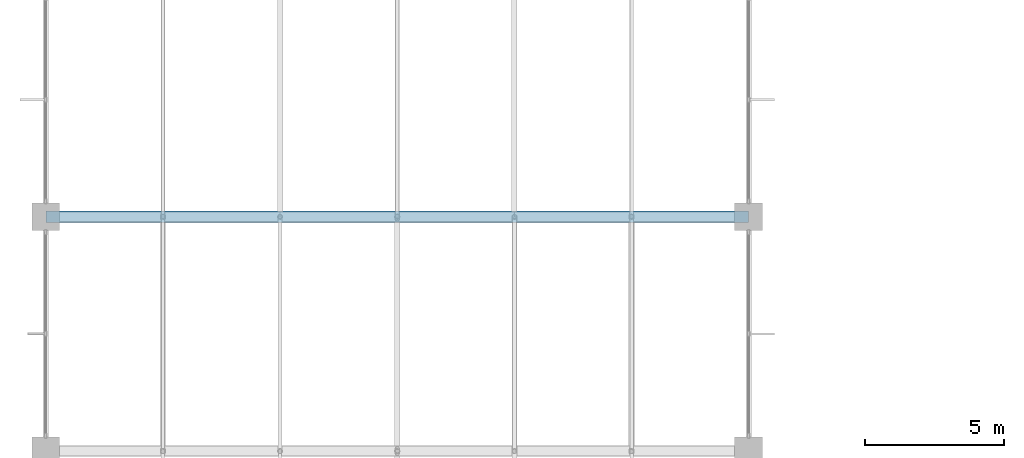
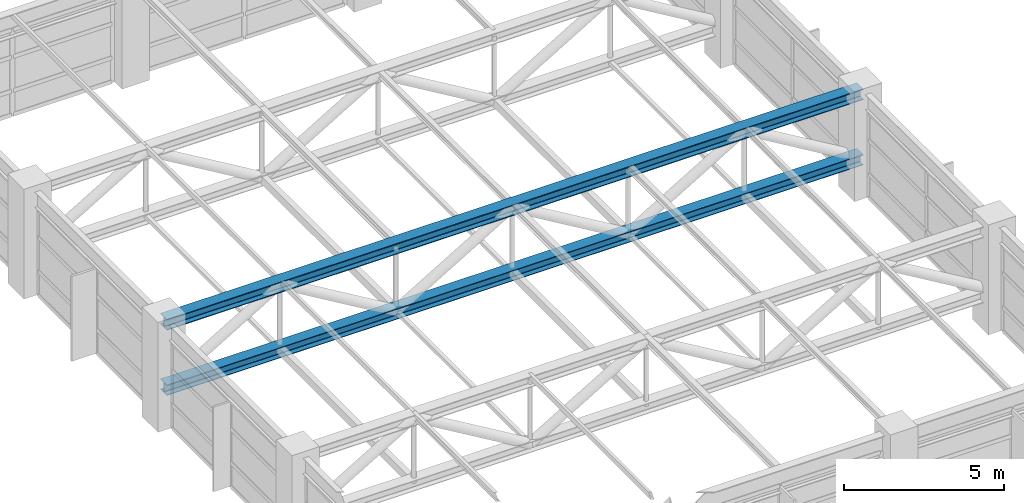
# One storey, part 11 of 32: 2 beams.
"""IFC4 building model written with IfcOpenShell, lengths in metres."""

from ifc_helpers import new_model, si_unit, direction, frame, origin, origin_2d, place, context, subcontext, project, spatial, i_section, extrude, material, material_profile, profile_set, type_object, element, save


model = new_model("IFC4")

# Units and contexts
model_context = context("Model", 3, precision=1e-05, world=origin(), true_north=direction((0.0, 1.0)))
body_context = subcontext(model_context, "Body", "Model", "MODEL_VIEW")
ifc_project = project(units=[si_unit("LENGTHUNIT", "METRE"), si_unit("AREAUNIT", "SQUARE_METRE"), si_unit("VOLUMEUNIT", "CUBIC_METRE"), si_unit("PLANEANGLEUNIT", "RADIAN"), si_unit("MASSUNIT", "GRAM", prefix="KILO")], contexts=[model_context])

# Site, building, storey
site_placement = place(None, origin())
site = spatial("IfcSite", under=ifc_project, at=site_placement, CompositionType="ELEMENT")
building_placement = place(site_placement, origin())
building = spatial("IfcBuilding", under=site, at=building_placement, Name="Xuanlan Plaza Opera House", CompositionType="ELEMENT")
storey_placement = place(building_placement, frame((0.0, 0.0, 40.5)))
storey = spatial("IfcBuildingStorey", under=building, at=storey_placement, Name="L09", CompositionType="ELEMENT", Elevation=40.5)

# Beams
ifc_material = material(Name="Steel Q390B", Category="steel")
ifc_material_profile_1 = material_profile(ifc_material, i_section(OverallWidth=0.405029296875, OverallDepth=0.4140625, WebThickness=0.01806640625, FlangeThickness=0.028076171875, FilletRadius=0.02197265625, at=origin_2d()), Name="HW 414x405x18x28")
ifc_profile_set_1 = profile_set([ifc_material_profile_1], Name="Steel Q390B")
beam_type_1 = type_object("IfcBeamType", Name="STR-BM-TCH-01", PredefinedType="BEAM", material=ifc_profile_set_1)
beam_1_placement = place(storey_placement, frame((42.0, 58.800048828125, 3.751953125), z_axis=(1.0, 0.0, 0.0), x_axis=(0.0, 1.0, 0.0)))
element("IfcBeam", 1, at=beam_1_placement, inside=storey, type_object=beam_type_1, Name="Stage Roof Truss STG-02 Top Chord Girder", PredefinedType="BEAM", context=body_context, shape_type="SweptSolid", body=[
    extrude(i_section(OverallWidth=0.405029296875, OverallDepth=0.4140625, WebThickness=0.01806640625, FlangeThickness=0.028076171875, FilletRadius=0.02197265625, at=origin_2d()), origin(), (0.0, 0.0, 1.0), 25.199951171875),
])
ifc_material_profile_2 = material_profile(ifc_material, i_section(OverallWidth=0.39990234375, OverallDepth=0.39990234375, WebThickness=0.012939453125, FlangeThickness=0.02099609375, FilletRadius=0.02197265625, at=origin_2d()), Name="HW 400x400x13x21")
ifc_profile_set_2 = profile_set([ifc_material_profile_2], Name="Steel Q390B")
beam_type_2 = type_object("IfcBeamType", Name="STR-BM-TCH-02", PredefinedType="BEAM", material=ifc_profile_set_2)
beam_2_placement = place(storey_placement, frame((42.0, 58.800048828125, 1.251953125), z_axis=(1.0, 0.0, 0.0), x_axis=(0.0, 1.0, 0.0)))
element("IfcBeam", 2, at=beam_2_placement, inside=storey, type_object=beam_type_2, Name="Stage Roof Truss STG-02 Bottom Chord Girder", PredefinedType="BEAM", context=body_context, shape_type="SweptSolid", body=[
    extrude(i_section(OverallWidth=0.39990234375, OverallDepth=0.39990234375, WebThickness=0.012939453125, FlangeThickness=0.02099609375, FilletRadius=0.02197265625, at=origin_2d()), origin(), (0.0, 0.0, 1.0), 25.199951171875),
])

save(model, "model.ifc")
